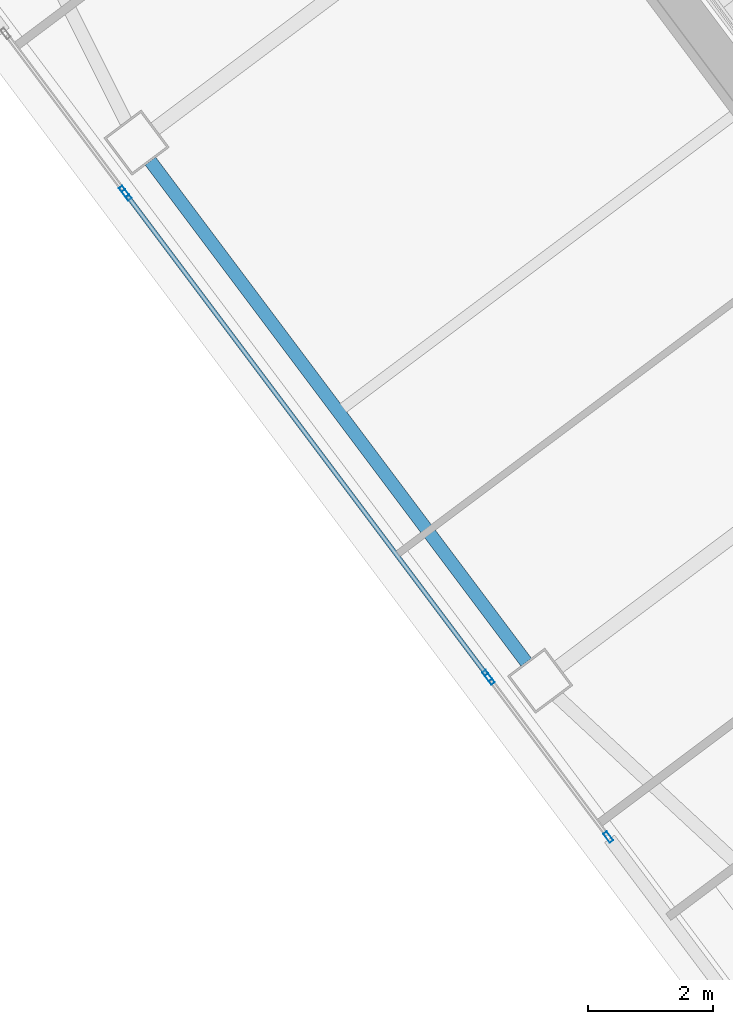
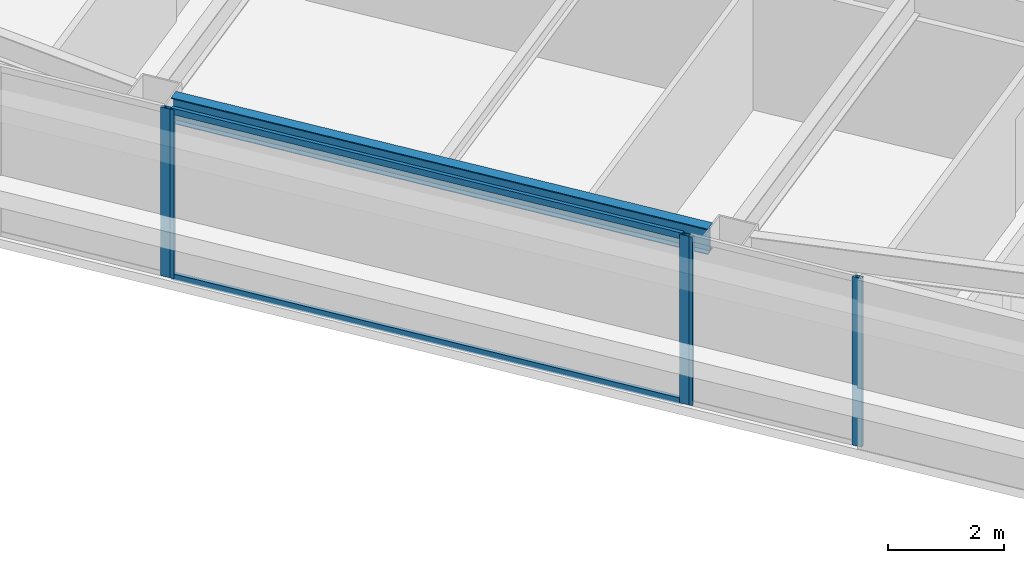
# One storey, part 17 of 42: 7 members, 1 beam, 3 elements without a shape of their own.
"""IFC4 building model written with IfcOpenShell, lengths in metres."""

from ifc_helpers import new_model, si_unit, direction, frame, origin, origin_2d, place, context, subcontext, project, spatial, hollow_rectangle, i_section, extrude, material, material_profile, profile_set, type_object, element, aggregate, save


model = new_model("IFC4")

# Units and contexts
model_context = context("Model", 3, precision=1e-05, world=origin(), true_north=direction((0.0, 1.0)))
body_context = subcontext(model_context, "Body", "Model", "MODEL_VIEW")
ifc_project = project(units=[si_unit("LENGTHUNIT", "METRE"), si_unit("AREAUNIT", "SQUARE_METRE"), si_unit("VOLUMEUNIT", "CUBIC_METRE"), si_unit("PLANEANGLEUNIT", "RADIAN"), si_unit("MASSUNIT", "GRAM", prefix="KILO")], contexts=[model_context])

# Site, building, storey
site_placement = place(None, origin())
site = spatial("IfcSite", under=ifc_project, at=site_placement, CompositionType="ELEMENT")
building_placement = place(site_placement, origin())
building = spatial("IfcBuilding", under=site, at=building_placement, Name="Tashvorn Skyway Center", CompositionType="ELEMENT")
storey_placement = place(building_placement, frame((0.0, 0.0, 164.10009765625)))
storey = spatial("IfcBuildingStorey", under=building, at=storey_placement, Name="L44", CompositionType="ELEMENT", Elevation=164.10009765625)

# Beam
ifc_material_1 = material(Name="Steel ASTM A992 Grade 50", Category="steel")
ifc_material_profile_1 = material_profile(ifc_material_1, i_section(OverallWidth=0.2109375, OverallDepth=0.5390625, WebThickness=0.01171875, FlangeThickness=0.018798828125, at=origin_2d()), Name="W21X73")
ifc_profile_set_1 = profile_set([ifc_material_profile_1], Name="Steel ASTM A992 Grade 50")
beam_type = type_object("IfcBeamType", Name="BM-SPANDREL-W21X73", PredefinedType="SPANDREL", material=ifc_profile_set_1)
beam_placement = place(storey_placement, frame((98.06201171875, 26.333984375, 3.100341796875), z_axis=(0.599988351091, -0.800008736549, 0.0), x_axis=(0.800008736549, 0.599988351091, 0.0)))
element("IfcBeam", 1, at=beam_placement, inside=storey, type_object=beam_type, Name="Tower 2 L44 Spandrel Beam 11", PredefinedType="SPANDREL", context=body_context, shape_type="SweptSolid", body=[
    extrude(i_section(OverallWidth=0.2109375, OverallDepth=0.5390625, WebThickness=0.01171875, FlangeThickness=0.018798828125, at=origin_2d()), origin(), (0.0, 0.0, 1.0), 10.06005859375),
])

# Curtain wall, members
ifc_material_2 = material(Name="Thermally broken bronze-anodized aluminium 6063-T6", Category="aluminium")
curtain_wall_type = type_object("IfcCurtainWallType", Name="CW-CW-Z4", PredefinedType="NOTDEFINED", material=ifc_material_2)
curtain_wall_1_placement = place(storey_placement, origin())
curtain_wall_1 = element("IfcCurtainWall", 2, at=curtain_wall_1_placement, inside=storey, type_object=curtain_wall_type, Name="Tower 2 L44 West Unitised Curtain Wall Glazing Group 1", PredefinedType="NOTDEFINED")
ifc_material_profile_2 = material_profile(ifc_material_2, hollow_rectangle(XDim=0.070068359375, YDim=0.179931640625, WallThickness=0.00390625, at=origin_2d()), Name="ALU-MULL-70x180")
ifc_profile_set_2 = profile_set([ifc_material_profile_2], Name="Thermally broken bronze-anodized aluminium 6063-T6")
member_type_1 = type_object("IfcMemberType", Name="CWM-CW-Z4", PredefinedType="MULLION", material=ifc_profile_set_2)
member_1_placement = place(storey_placement, frame((105.4150390625, 15.47998046875, 0.0), z_axis=(0.0, 0.0, 1.0), x_axis=(-0.799999999998, -0.600000000002, 0.0)))
member_1 = element("IfcMember", 3, at=member_1_placement, type_object=member_type_1, Name="CW-Z4 mullion 1", PredefinedType="MULLION", context=body_context, shape_type="SweptSolid", body=[
    extrude(hollow_rectangle(XDim=0.070068359375, YDim=0.179931640625, WallThickness=0.00390625, at=origin_2d()), origin(), (0.0, 0.0, 1.0), 3.5498046875),
])
member_2_placement = place(storey_placement, frame((103.512939453125, 18.01611328125, 0.0), z_axis=(0.0, 0.0, 1.0), x_axis=(-0.799999999998, -0.600000000002, 0.0)))
member_2 = element("IfcMember", 4, at=member_2_placement, type_object=member_type_1, Name="CW-Z4 mullion 2", PredefinedType="MULLION", context=body_context, shape_type="SweptSolid", body=[
    extrude(hollow_rectangle(XDim=0.070068359375, YDim=0.179931640625, WallThickness=0.00390625, at=origin_2d()), origin(), (0.0, 0.0, 1.0), 3.5498046875),
])
aggregate(curtain_wall_1, [member_1, member_2])

curtain_wall_2_placement = place(storey_placement, origin())
curtain_wall_2 = element("IfcCurtainWall", 5, at=curtain_wall_2_placement, inside=storey, type_object=curtain_wall_type, Name="Tower 2 L44 West Unitised Curtain Wall Glazing Group 2", PredefinedType="NOTDEFINED")
member_3_placement = place(storey_placement, frame((103.470947265625, 18.072021484375, 0.0), z_axis=(0.0, 0.0, 1.0), x_axis=(-0.799999999998, -0.600000000002, 0.0)))
member_3 = element("IfcMember", 6, at=member_3_placement, type_object=member_type_1, Name="CW-Z4 mullion 1", PredefinedType="MULLION", context=body_context, shape_type="SweptSolid", body=[
    extrude(hollow_rectangle(XDim=0.070068359375, YDim=0.179931640625, WallThickness=0.00390625, at=origin_2d()), origin(), (0.0, 0.0, 1.0), 3.5498046875),
])
member_4_placement = place(storey_placement, frame((97.680908203125, 25.7919921875, 0.0), z_axis=(0.0, 0.0, 1.0), x_axis=(-0.799999999998, -0.600000000002, 0.0)))
member_4 = element("IfcMember", 7, at=member_4_placement, type_object=member_type_1, Name="CW-Z4 mullion 2", PredefinedType="MULLION", context=body_context, shape_type="SweptSolid", body=[
    extrude(hollow_rectangle(XDim=0.070068359375, YDim=0.179931640625, WallThickness=0.00390625, at=origin_2d()), origin(), (0.0, 0.0, 1.0), 3.5498046875),
])

# Curtain wall, member
curtain_wall_3_placement = place(storey_placement, origin())
curtain_wall_3 = element("IfcCurtainWall", 8, at=curtain_wall_3_placement, inside=storey, type_object=curtain_wall_type, Name="Tower 2 L44 West Unitised Curtain Wall Glazing Group 3", PredefinedType="NOTDEFINED")
member_5_placement = place(storey_placement, frame((97.638916015625, 25.847900390625, 0.0), z_axis=(0.0, 0.0, 1.0), x_axis=(-0.799999999998, -0.600000000002, 0.0)))
member_5 = element("IfcMember", 9, at=member_5_placement, type_object=member_type_1, Name="CW-Z4 mullion 1", PredefinedType="MULLION", context=body_context, shape_type="SweptSolid", body=[
    extrude(hollow_rectangle(XDim=0.070068359375, YDim=0.179931640625, WallThickness=0.00390625, at=origin_2d()), origin(), (0.0, 0.0, 1.0), 3.5498046875),
])
aggregate(curtain_wall_3, [member_5])

# Member
ifc_material_profile_3 = material_profile(ifc_material_2, hollow_rectangle(XDim=0.070068359375, YDim=0.1298828125, WallThickness=0.00390625, at=origin_2d()), Name="ALU-TRAN-70x130")
ifc_profile_set_3 = profile_set([ifc_material_profile_3], Name="Thermally broken bronze-anodized aluminium 6063-T6")
member_type_2 = type_object("IfcMemberType", Name="CWT-CW-Z4", PredefinedType="USERDEFINED", material=ifc_profile_set_3)
member_6_placement = place(storey_placement, frame((103.449951171875, 18.10009765625, 0.034912109375), z_axis=(-0.600012232595, 0.799990825408, 0.0), x_axis=(-0.799990825408, -0.600012232595, 0.0)))
member_6 = element("IfcMember", 10, at=member_6_placement, type_object=member_type_2, Name="CW-Z4 transom 1.1", ObjectType="TRANSOM", PredefinedType="USERDEFINED", context=body_context, shape_type="SweptSolid", body=[
    extrude(hollow_rectangle(XDim=0.070068359375, YDim=0.1298828125, WallThickness=0.00390625, at=origin_2d()), origin(), (0.0, 0.0, 1.0), 9.579833984375),
])

member_7_placement = place(storey_placement, frame((103.449951171875, 18.10009765625, 3.514892578125), z_axis=(-0.600012232595, 0.799990825408, 0.0), x_axis=(-0.799990825408, -0.600012232595, 0.0)))
member_7 = element("IfcMember", 11, at=member_7_placement, type_object=member_type_2, Name="CW-Z4 transom 1.2", ObjectType="TRANSOM", PredefinedType="USERDEFINED", context=body_context, shape_type="SweptSolid", body=[
    extrude(hollow_rectangle(XDim=0.070068359375, YDim=0.1298828125, WallThickness=0.00390625, at=origin_2d()), origin(), (0.0, 0.0, 1.0), 9.579833984375),
])

aggregate(curtain_wall_2, [member_3, member_4, member_6, member_7])

save(model, "model.ifc")
